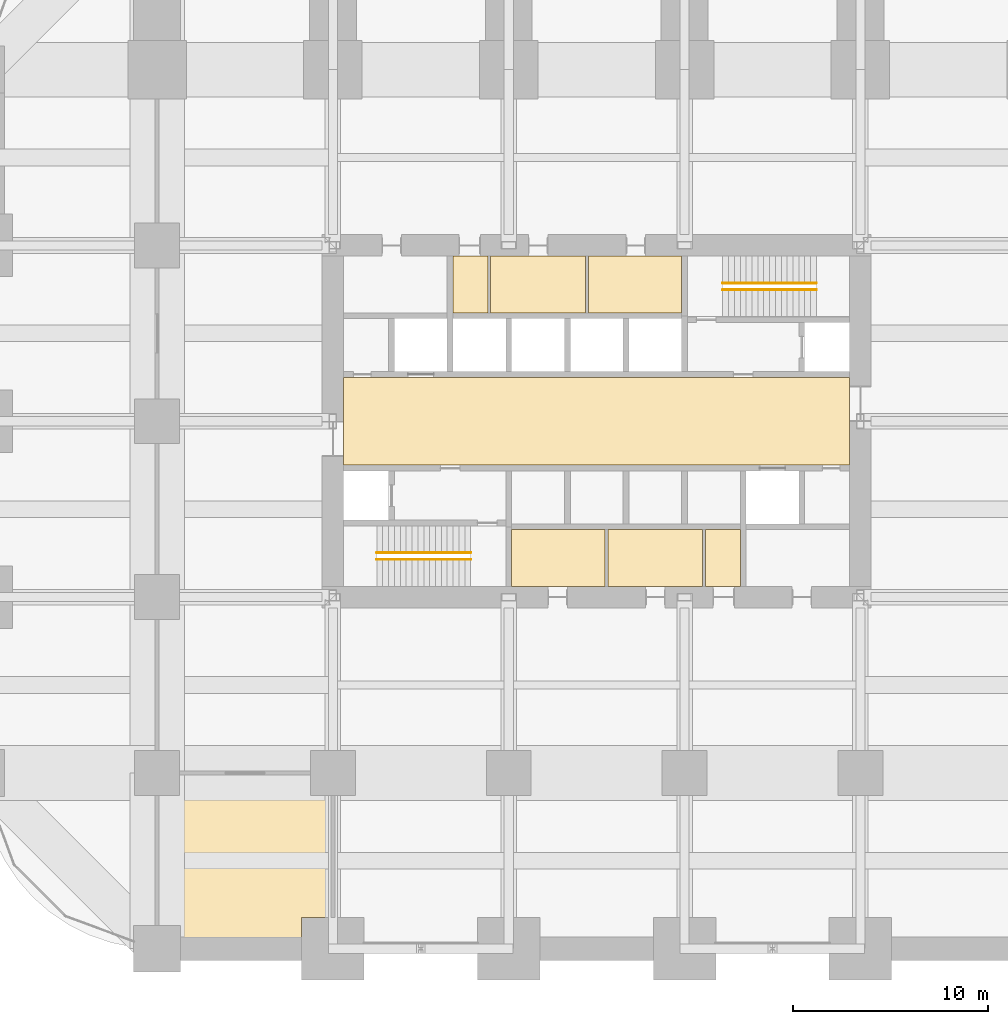
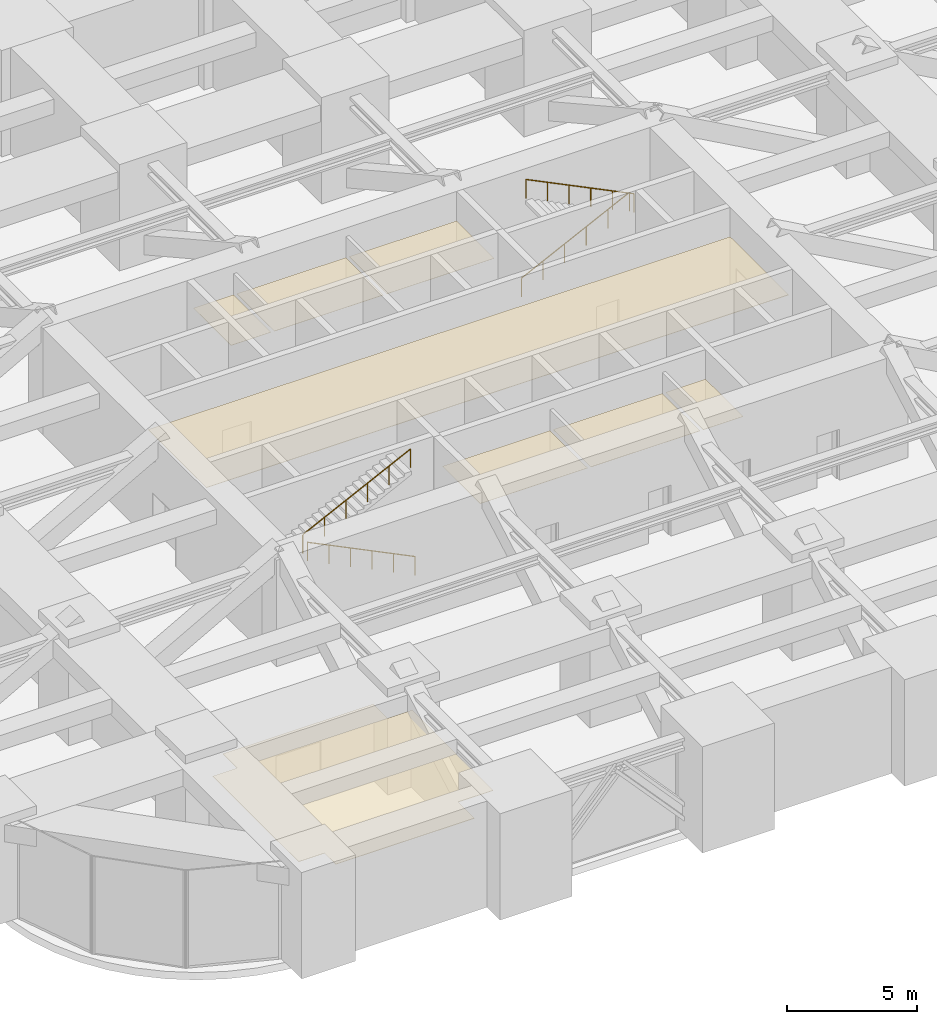
# One storey, part 35 of 35: 8 coverings, 4 railings.
"""IFC4 building model written with IfcOpenShell, lengths in metres."""

from ifc_helpers import new_model, si_unit, direction, frame, origin, origin_2d, place, context, subcontext, project, spatial, polyline, circle, outline, extrude, material, layer, layer_set, type_object, element, save


model = new_model("IFC4")

# Units and contexts
model_context = context("Model", 3, precision=1e-05, world=origin(), true_north=direction((0.0, 1.0)))
body_context = subcontext(model_context, "Body", "Model", "MODEL_VIEW")
ifc_project = project(units=[si_unit("LENGTHUNIT", "METRE"), si_unit("AREAUNIT", "SQUARE_METRE"), si_unit("VOLUMEUNIT", "CUBIC_METRE"), si_unit("PLANEANGLEUNIT", "RADIAN"), si_unit("MASSUNIT", "GRAM", prefix="KILO")], contexts=[model_context])

# Site, building, storey
site_placement = place(None, origin())
site = spatial("IfcSite", under=ifc_project, at=site_placement, CompositionType="ELEMENT")
building_placement = place(site_placement, origin())
building = spatial("IfcBuilding", under=site, at=building_placement, Name="Zorevar Civic Tower", CompositionType="ELEMENT")
storey_placement = place(building_placement, frame((0.0, 0.0, 80.0)))
storey = spatial("IfcBuildingStorey", under=building, at=storey_placement, Name="L19", CompositionType="ELEMENT", Elevation=80.0)

# Railings
ifc_material_1 = material(Name="Black steel handrail", Category="steel")
railing_type = type_object("IfcRailingType", Name="Handrail HR1 900", PredefinedType="HANDRAIL", material=ifc_material_1)
railing_1_placement = place(storey_placement, frame((25.050048828125, 19.925048828125, 0.14697265625)))
element("IfcRailing", 1, at=railing_1_placement, inside=storey, type_object=railing_type, Name="Handrail HR1 ST1 L19", PredefinedType="HANDRAIL", context=body_context, shape_type="SweptSolid", body=[
    extrude(circle(Radius=0.02392578125, at=origin_2d()), frame((0.0, 0.0, 0.8759765625), z_axis=(-0.89791612171, 0.0, 0.440166602973), x_axis=(0.0, -1.0, 0.0)), (0.0, 0.0, 1.0), 5.345703125),
    extrude(circle(Radius=0.02099609375, at=origin_2d()), origin(), (0.0, 0.0, 1.0), 0.851806640625),
    extrude(circle(Radius=0.02099609375, at=origin_2d()), frame((-0.9599609375, 0.0, 0.470703125)), (0.0, 0.0, 1.0), 0.851806640625),
    extrude(circle(Radius=0.02099609375, at=origin_2d()), frame((-1.919921875, 0.0, 0.941162109375)), (0.0, 0.0, 1.0), 0.851806640625),
    extrude(circle(Radius=0.02099609375, at=origin_2d()), frame((-2.880126953125, 0.0, 1.411865234375)), (0.0, 0.0, 1.0), 0.851806640625),
    extrude(circle(Radius=0.02099609375, at=origin_2d()), frame((-3.840087890625, 0.0, 1.88232421875)), (0.0, 0.0, 1.0), 0.851806640625),
    extrude(circle(Radius=0.02099609375, at=origin_2d()), frame((-4.800048828125, 0.0, 2.35302734375)), (0.0, 0.0, 1.0), 0.851806640625),
])
for number, where, name in (
    (2, (20.25, 20.27490234375, 2.64697265625), "Handrail HR1 ST1 L19"),
    (3, (37.949951171875, 34.074951171875, 0.14697265625), "Handrail HR1 ST2 L19"),
):
    element("IfcRailing", number, at=place(storey_placement, frame(where)), inside=storey, type_object=railing_type, Name=name, PredefinedType="HANDRAIL", context=body_context, shape_type="SweptSolid", body=[
        extrude(circle(Radius=0.02392578125, at=origin_2d()), frame((0.0, 0.0, 0.8759765625), z_axis=(0.89791612171, 0.0, 0.440166602973), x_axis=(0.0, 1.0, 0.0)), (0.0, 0.0, 1.0), 5.345703125),
        extrude(circle(Radius=0.02099609375, at=origin_2d()), origin(), (0.0, 0.0, 1.0), 0.851806640625),
        extrude(circle(Radius=0.02099609375, at=origin_2d()), frame((0.9599609375, 0.0, 0.470703125)), (0.0, 0.0, 1.0), 0.851806640625),
        extrude(circle(Radius=0.02099609375, at=origin_2d()), frame((1.919921875, 0.0, 0.941162109375)), (0.0, 0.0, 1.0), 0.851806640625),
        extrude(circle(Radius=0.02099609375, at=origin_2d()), frame((2.880126953125, 0.0, 1.411865234375)), (0.0, 0.0, 1.0), 0.851806640625),
        extrude(circle(Radius=0.02099609375, at=origin_2d()), frame((3.840087890625, 0.0, 1.88232421875)), (0.0, 0.0, 1.0), 0.851806640625),
        extrude(circle(Radius=0.02099609375, at=origin_2d()), frame((4.800048828125, 0.0, 2.35302734375)), (0.0, 0.0, 1.0), 0.851806640625),
    ])
railing_2_placement = place(storey_placement, frame((42.75, 33.72509765625, 2.64697265625)))
element("IfcRailing", 4, at=railing_2_placement, inside=storey, type_object=railing_type, Name="Handrail HR1 ST2 L19", PredefinedType="HANDRAIL", context=body_context, shape_type="SweptSolid", body=[
    extrude(circle(Radius=0.02392578125, at=origin_2d()), frame((0.0, 0.0, 0.8759765625), z_axis=(-0.89791612171, 0.0, 0.440166602973), x_axis=(0.0, -1.0, 0.0)), (0.0, 0.0, 1.0), 5.345703125),
    extrude(circle(Radius=0.02099609375, at=origin_2d()), origin(), (0.0, 0.0, 1.0), 0.851806640625),
    extrude(circle(Radius=0.02099609375, at=origin_2d()), frame((-0.9599609375, 0.0, 0.470703125)), (0.0, 0.0, 1.0), 0.851806640625),
    extrude(circle(Radius=0.02099609375, at=origin_2d()), frame((-1.919921875, 0.0, 0.941162109375)), (0.0, 0.0, 1.0), 0.851806640625),
    extrude(circle(Radius=0.02099609375, at=origin_2d()), frame((-2.880126953125, 0.0, 1.411865234375)), (0.0, 0.0, 1.0), 0.851806640625),
    extrude(circle(Radius=0.02099609375, at=origin_2d()), frame((-3.840087890625, 0.0, 1.88232421875)), (0.0, 0.0, 1.0), 0.851806640625),
    extrude(circle(Radius=0.02099609375, at=origin_2d()), frame((-4.800048828125, 0.0, 2.35302734375)), (0.0, 0.0, 1.0), 0.851806640625),
])

# Coverings
ifc_material_2 = material(Name="Moisture-resistant gypsum board")
ifc_layer_1 = layer(ifc_material_2, 0.012451171875)
ifc_layer_set_1 = layer_set([ifc_layer_1], Name="Moisture-resistant ceiling SC3")
covering_type_1 = type_object("IfcCoveringType", Name="Moisture-resistant ceiling SC3", PredefinedType="CEILING", material=ifc_layer_set_1)
covering_1_placement = place(storey_placement, frame((0.0, 0.0, 3.60009765625)))
element("IfcCovering", 5, at=covering_1_placement, inside=storey, type_object=covering_type_1, Name="Ceiling L19-05", PredefinedType="CEILING", context=body_context, shape_type="SweptSolid", body=[
    extrude(outline(polyline([(31.925048828125, 18.550048828125), (31.925048828125, 21.449951171875), (27.14990234375, 21.449951171875), (27.14990234375, 18.550048828125), (31.925048828125, 18.550048828125)])), origin(), (0.0, 0.0, 1.0), 0.012451171875),
])
covering_2_placement = place(storey_placement, frame((0.0, 0.0, 3.60009765625)))
element("IfcCovering", 6, at=covering_2_placement, inside=storey, type_object=covering_type_1, Name="Ceiling L19-06", PredefinedType="CEILING", context=body_context, shape_type="SweptSolid", body=[
    extrude(outline(polyline([(35.85009765625, 32.550048828125), (35.85009765625, 35.449951171875), (31.074951171875, 35.449951171875), (31.074951171875, 32.550048828125), (35.85009765625, 32.550048828125)])), origin(), (0.0, 0.0, 1.0), 0.012451171875),
])
covering_3_placement = place(storey_placement, frame((0.0, 0.0, 3.60009765625)))
element("IfcCovering", 7, at=covering_3_placement, inside=storey, type_object=covering_type_1, Name="Ceiling L19-07", PredefinedType="CEILING", context=body_context, shape_type="SweptSolid", body=[
    extrude(outline(polyline([(36.925048828125, 18.550048828125), (36.925048828125, 21.449951171875), (32.074951171875, 21.449951171875), (32.074951171875, 18.550048828125), (36.925048828125, 18.550048828125)])), origin(), (0.0, 0.0, 1.0), 0.012451171875),
])
covering_4_placement = place(storey_placement, frame((0.0, 0.0, 3.60009765625)))
element("IfcCovering", 8, at=covering_4_placement, inside=storey, type_object=covering_type_1, Name="Ceiling L19-08", PredefinedType="CEILING", context=body_context, shape_type="SweptSolid", body=[
    extrude(outline(polyline([(30.925048828125, 32.550048828125), (30.925048828125, 35.449951171875), (26.074951171875, 35.449951171875), (26.074951171875, 32.550048828125), (30.925048828125, 32.550048828125)])), origin(), (0.0, 0.0, 1.0), 0.012451171875),
])
covering_5_placement = place(storey_placement, frame((0.0, 0.0, 3.60009765625)))
element("IfcCovering", 9, at=covering_5_placement, inside=storey, type_object=covering_type_1, Name="Ceiling L19-09", PredefinedType="CEILING", context=body_context, shape_type="SweptSolid", body=[
    extrude(outline(polyline([(38.85009765625, 18.550048828125), (38.85009765625, 21.449951171875), (37.074951171875, 21.449951171875), (37.074951171875, 18.550048828125), (38.85009765625, 18.550048828125)])), origin(), (0.0, 0.0, 1.0), 0.012451171875),
])
covering_6_placement = place(storey_placement, frame((0.0, 0.0, 3.60009765625)))
element("IfcCovering", 10, at=covering_6_placement, inside=storey, type_object=covering_type_1, Name="Ceiling L19-10", PredefinedType="CEILING", context=body_context, shape_type="SweptSolid", body=[
    extrude(outline(polyline([(25.925048828125, 32.550048828125), (25.925048828125, 35.449951171875), (24.14990234375, 35.449951171875), (24.14990234375, 32.550048828125), (25.925048828125, 32.550048828125)])), origin(), (0.0, 0.0, 1.0), 0.012451171875),
])
ifc_material_3 = material(Name="Mineral fibre tiles on a concealed grid")
ifc_layer_2 = layer(ifc_material_3, 0.02001953125)
ifc_layer_set_2 = layer_set([ifc_layer_2], Name="Suspended ceiling SC1")
covering_type_2 = type_object("IfcCoveringType", Name="Suspended ceiling SC1", PredefinedType="CEILING", material=ifc_layer_set_2)
covering_7_placement = place(storey_placement, frame((0.0, 0.0, 3.60009765625)))
element("IfcCovering", 11, at=covering_7_placement, inside=storey, type_object=covering_type_2, Name="Ceiling L19-15", PredefinedType="CEILING", context=body_context, shape_type="SweptSolid", body=[
    extrude(outline(polyline([(44.449951171875, 24.75), (44.449951171875, 29.25), (18.550048828125, 29.25), (18.550048828125, 24.75), (44.449951171875, 24.75)])), origin(), (0.0, 0.0, 1.0), 0.02001953125),
])
covering_8_placement = place(storey_placement, frame((0.0, 0.0, 3.60009765625)))
element("IfcCovering", 12, at=covering_8_placement, inside=storey, type_object=covering_type_2, Name="Ceiling L19-18", PredefinedType="CEILING", context=body_context, shape_type="SweptSolid", body=[
    extrude(outline(polyline([(9.06005859375, 1.2099609375), (9.06005859375, 7.840087890625), (10.159912109375, 7.840087890625), (10.159912109375, 8.93994140625), (16.840087890625, 8.93994140625), (16.840087890625, 7.840087890625), (17.93994140625, 7.840087890625), (17.93994140625, 1.610107421875), (16.389892578125, 1.610107421875), (16.389892578125, 0.35009765625), (10.2099609375, 0.35009765625), (10.2099609375, 1.2099609375), (9.06005859375, 1.2099609375)])), origin(), (0.0, 0.0, 1.0), 0.02001953125),
])

save(model, "model.ifc")
